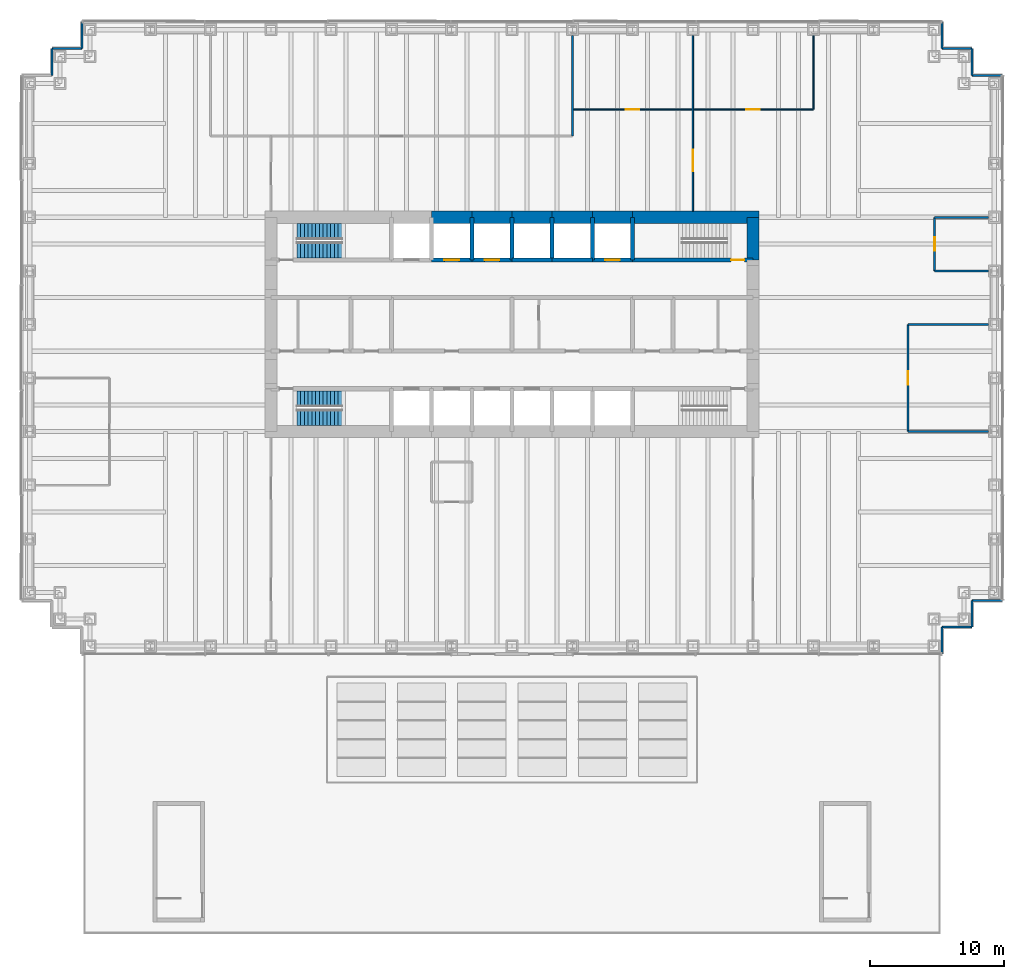
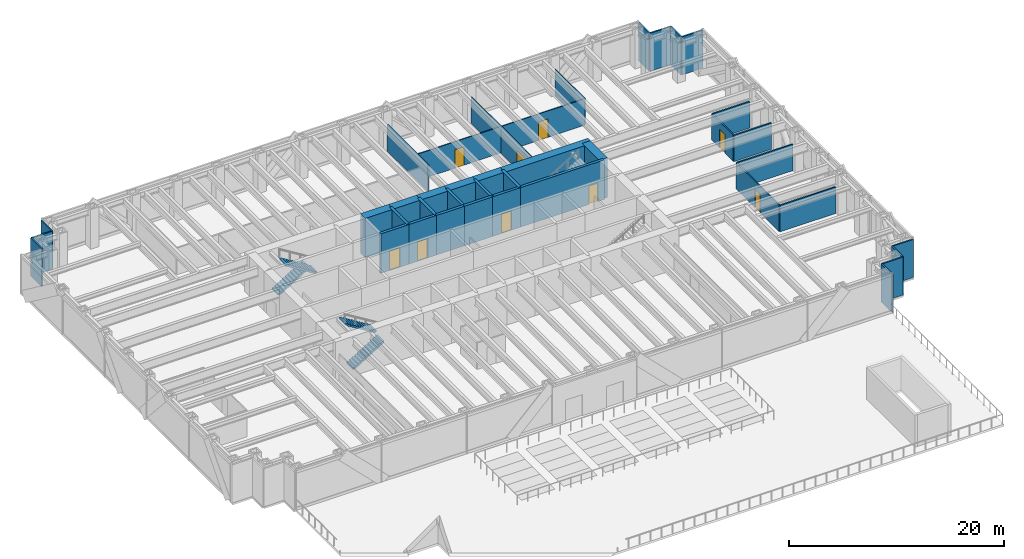
# One storey, part 13 of 15: 39 walls, 9 doors, 4 stair flights, 9 openings, 2 elements without a shape of their own.
"""IFC4 building model written with IfcOpenShell, lengths in metres."""

from ifc_helpers import new_model, si_unit, direction, frame, frame_2d, origin, place, context, subcontext, project, spatial, polyline, rectangle, outline, extrude, material, layer, layer_set, type_object, element, fill, aggregate, save


model = new_model("IFC4")

# Units and contexts
model_context = context("Model", 3, precision=1e-05, world=origin(), true_north=direction((0.0, 1.0)))
body_context = subcontext(model_context, "Body", "Model", "MODEL_VIEW")
ifc_project = project(units=[si_unit("LENGTHUNIT", "METRE"), si_unit("AREAUNIT", "SQUARE_METRE"), si_unit("VOLUMEUNIT", "CUBIC_METRE"), si_unit("PLANEANGLEUNIT", "RADIAN"), si_unit("MASSUNIT", "GRAM", prefix="KILO")], contexts=[model_context])

# Site, building, storey
site_placement = place(None, origin())
site = spatial("IfcSite", under=ifc_project, at=site_placement, CompositionType="ELEMENT")
building_placement = place(site_placement, origin())
building = spatial("IfcBuilding", under=site, at=building_placement, Name="Rheinbord Bourse Tower", CompositionType="ELEMENT")
storey_placement = place(building_placement, frame((0.0, 0.0, 23.0)))
storey = spatial("IfcBuildingStorey", under=building, at=storey_placement, Name="L04", CompositionType="ELEMENT", Elevation=23.0)

# Wall, opening, door
ifc_material_1 = material(Name="Concrete C50/60", Category="concrete")
ifc_layer_1 = layer(ifc_material_1, 0.300048828125)
ifc_layer_set_1 = layer_set([ifc_layer_1], Name="CORE INNER WALL 300")
wall_type_1 = type_object("IfcWallType", Name="CORE INNER WALL 300", PredefinedType="SOLIDWALL", material=ifc_layer_set_1)
wall_1_placement = place(storey_placement, frame((30.0, 28.800048828125, 0.0), z_axis=(0.0, 0.0, 1.0), x_axis=(1.0, 0.0, 0.0)))
wall_1 = element("IfcWall", 1, at=wall_1_placement, inside=storey, type_object=wall_type_1, Name="Core wall B3 L04", PredefinedType="SOLIDWALL", context=body_context, shape_type="SweptSolid", body=[
    extrude(rectangle(XDim=3.0, YDim=0.300048828125, at=frame_2d((1.5, 0.0))), origin(), (0.0, 0.0, 1.0), 4.5),
])
opening_1_placement = place(wall_1_placement, frame((0.949951171875, 0.0, 0.0)))
opening_1 = element("IfcOpeningElement", 2, at=opening_1_placement, cuts=wall_1, Name="Opening PA4", PredefinedType="OPENING", context=body_context, shape_type="SweptSolid", body=[
    extrude(rectangle(XDim=1.10009765625, YDim=2.199951171875, at=frame_2d((0.550048828125, 1.10009765625))), frame((0.0, 0.159912109375, 0.0), z_axis=(0.0, -1.0, 0.0), x_axis=(1.0, 0.0, 0.0)), (0.0, 0.0, 1.0), 0.320068359375),
])
ifc_material_2 = material(Name="Steel landing door", Category="steel")
door_type_1 = type_object("IfcDoorType", Name="LIFT LANDING DOOR 1100", OperationType="DOUBLE_DOOR_SLIDING", PredefinedType="USERDEFINED", material=ifc_material_2)
door_1_placement = place(opening_1_placement, origin())
door_1 = element("IfcDoor", 3, at=door_1_placement, inside=storey, type_object=door_type_1, Name="Lift landing door PA4 L04", ObjectType="LIFT LANDING DOOR", OperationType="DOUBLE_DOOR_SLIDING", OverallHeight=2.199951171875, OverallWidth=1.10009765625, PredefinedType="USERDEFINED", context=body_context, shape_type="SweptSolid", body=[
    extrude(rectangle(XDim=1.10009765625, YDim=2.199951171875, at=frame_2d((0.550048828125, 1.10009765625))), frame((0.0, 0.02490234375, 0.0), z_axis=(0.0, -1.0, 0.0), x_axis=(1.0, 0.0, 0.0)), (0.0, 0.0, 1.0), 0.050048828125),
])
fill(opening_1, door_1)

wall_2_placement = place(storey_placement, frame((33.0, 28.800048828125, 0.0), z_axis=(0.0, 0.0, 1.0), x_axis=(1.0, 0.0, 0.0)))
wall_2 = element("IfcWall", 4, at=wall_2_placement, inside=storey, type_object=wall_type_1, Name="Core wall B4 L04", PredefinedType="SOLIDWALL", context=body_context, shape_type="SweptSolid", body=[
    extrude(rectangle(XDim=3.0, YDim=0.300048828125, at=frame_2d((1.5, 0.0))), origin(), (0.0, 0.0, 1.0), 4.5),
])
opening_2_placement = place(wall_2_placement, frame((0.949951171875, 0.0, 0.0)))
opening_2 = element("IfcOpeningElement", 5, at=opening_2_placement, cuts=wall_2, Name="Opening PA5", PredefinedType="OPENING", context=body_context, shape_type="SweptSolid", body=[
    extrude(rectangle(XDim=1.10009765625, YDim=2.199951171875, at=frame_2d((0.550048828125, 1.10009765625))), frame((0.0, 0.159912109375, 0.0), z_axis=(0.0, -1.0, 0.0), x_axis=(1.0, 0.0, 0.0)), (0.0, 0.0, 1.0), 0.320068359375),
])
door_2_placement = place(opening_2_placement, origin())
door_2 = element("IfcDoor", 6, at=door_2_placement, inside=storey, type_object=door_type_1, Name="Lift landing door PA5 L04", ObjectType="LIFT LANDING DOOR", OperationType="DOUBLE_DOOR_SLIDING", OverallHeight=2.199951171875, OverallWidth=1.10009765625, PredefinedType="USERDEFINED", context=body_context, shape_type="SweptSolid", body=[
    extrude(rectangle(XDim=1.10009765625, YDim=2.199951171875, at=frame_2d((0.550048828125, 1.10009765625))), frame((0.0, 0.02490234375, 0.0), z_axis=(0.0, -1.0, 0.0), x_axis=(1.0, 0.0, 0.0)), (0.0, 0.0, 1.0), 0.050048828125),
])
fill(opening_2, door_2)

# Walls
for number, where, z_axis, x_axis, name in (
    (7, (36.0, 28.800048828125, 0.0), (0.0, 0.0, 1.0), (1.0, 0.0, 0.0), "Core wall B5 L04"),
    (8, (39.0, 28.800048828125, 0.0), (0.0, 0.0, 1.0), (1.0, 0.0, 0.0), "Core wall B6 L04"),
):
    element("IfcWall", number, at=place(storey_placement, frame(where, z_axis=z_axis, x_axis=x_axis)), inside=storey, type_object=wall_type_1, Name=name, PredefinedType="SOLIDWALL", context=body_context, shape_type="SweptSolid", body=[
        extrude(rectangle(XDim=3.0, YDim=0.300048828125, at=frame_2d((1.5, 0.0))), origin(), (0.0, 0.0, 1.0), 4.5),
    ])

# Wall, opening, door
wall_3_placement = place(storey_placement, frame((42.0, 28.800048828125, 0.0), z_axis=(0.0, 0.0, 1.0), x_axis=(1.0, 0.0, 0.0)))
wall_3 = element("IfcWall", 9, at=wall_3_placement, inside=storey, type_object=wall_type_1, Name="Core wall B7 L04", PredefinedType="SOLIDWALL", context=body_context, shape_type="SweptSolid", body=[
    extrude(rectangle(XDim=3.0, YDim=0.300048828125, at=frame_2d((1.5, 0.0))), origin(), (0.0, 0.0, 1.0), 4.5),
])
opening_3_placement = place(wall_3_placement, frame((0.949951171875, 0.0, 0.0)))
opening_3 = element("IfcOpeningElement", 10, at=opening_3_placement, cuts=wall_3, Name="Opening FL2", PredefinedType="OPENING", context=body_context, shape_type="SweptSolid", body=[
    extrude(rectangle(XDim=1.10009765625, YDim=2.199951171875, at=frame_2d((0.550048828125, 1.10009765625))), frame((0.0, 0.159912109375, 0.0), z_axis=(0.0, -1.0, 0.0), x_axis=(1.0, 0.0, 0.0)), (0.0, 0.0, 1.0), 0.320068359375),
])
door_3_placement = place(opening_3_placement, origin())
door_3 = element("IfcDoor", 11, at=door_3_placement, inside=storey, type_object=door_type_1, Name="Lift landing door FL2 L04", ObjectType="LIFT LANDING DOOR", OperationType="DOUBLE_DOOR_SLIDING", OverallHeight=2.199951171875, OverallWidth=1.10009765625, PredefinedType="USERDEFINED", context=body_context, shape_type="SweptSolid", body=[
    extrude(rectangle(XDim=1.10009765625, YDim=2.199951171875, at=frame_2d((0.550048828125, 1.10009765625))), frame((0.0, 0.02490234375, 0.0), z_axis=(0.0, -1.0, 0.0), x_axis=(1.0, 0.0, 0.0)), (0.0, 0.0, 1.0), 0.050048828125),
])
fill(opening_3, door_3)

wall_4_placement = place(storey_placement, frame((45.0, 28.800048828125, 0.0), z_axis=(0.0, 0.0, 1.0), x_axis=(1.0, 0.0, 0.0)))
wall_4 = element("IfcWall", 12, at=wall_4_placement, inside=storey, type_object=wall_type_1, Name="Core wall B8 L04", PredefinedType="SOLIDWALL", context=body_context, shape_type="SweptSolid", body=[
    extrude(rectangle(XDim=9.0, YDim=0.300048828125, at=frame_2d((4.5, 0.0))), origin(), (0.0, 0.0, 1.0), 4.5),
])
opening_4_placement = place(wall_4_placement, frame((7.35009765625, 0.0, 0.0)))
opening_4 = element("IfcOpeningElement", 13, at=opening_4_placement, cuts=wall_4, Name="Opening 0440", PredefinedType="OPENING", context=body_context, shape_type="SweptSolid", body=[
    extrude(rectangle(XDim=1.0, YDim=2.10009765625, at=frame_2d((0.5, 1.050048828125))), frame((0.0, 0.159912109375, 0.0), z_axis=(0.0, -1.0, 0.0), x_axis=(1.0, 0.0, 0.0)), (0.0, 0.0, 1.0), 0.320068359375),
])
ifc_material_3 = material(Name="Steel door", Category="steel")
door_type_2 = type_object("IfcDoorType", Name="DOOR 1000 EI30", OperationType="SINGLE_SWING_LEFT", PredefinedType="DOOR", material=ifc_material_3)
door_4_placement = place(opening_4_placement, origin())
door_4 = element("IfcDoor", 14, at=door_4_placement, inside=storey, type_object=door_type_2, Name="Stair door ST4 L04", OperationType="SINGLE_SWING_RIGHT", OverallHeight=2.10009765625, OverallWidth=1.0, PredefinedType="DOOR", context=body_context, shape_type="SweptSolid", body=[
    extrude(rectangle(XDim=1.0, YDim=2.10009765625, at=frame_2d((0.5, 1.050048828125))), frame((0.0, 0.02490234375, 0.0), z_axis=(0.0, -1.0, 0.0), x_axis=(1.0, 0.0, 0.0)), (0.0, 0.0, 1.0), 0.050048828125),
])
fill(opening_4, door_4)

# Walls
for number, where, z_axis, x_axis, name in (
    (15, (33.0, 28.800048828125, 0.0), (0.0, 0.0, 1.0), (0.0, 1.0, 0.0), "Core wall NX33 L04"),
    (16, (36.0, 28.800048828125, 0.0), (0.0, 0.0, 1.0), (0.0, 1.0, 0.0), "Core wall NX36 L04"),
    (17, (39.0, 28.800048828125, 0.0), (0.0, 0.0, 1.0), (0.0, 1.0, 0.0), "Core wall NX39 L04"),
    (18, (42.0, 28.800048828125, 0.0), (0.0, 0.0, 1.0), (0.0, 1.0, 0.0), "Core wall NX42 L04"),
    (19, (45.0, 28.800048828125, 0.0), (0.0, 0.0, 1.0), (0.0, 1.0, 0.0), "Core wall NX45 L04"),
):
    element("IfcWall", number, at=place(storey_placement, frame(where, z_axis=z_axis, x_axis=x_axis)), inside=storey, type_object=wall_type_1, Name=name, PredefinedType="SOLIDWALL", context=body_context, shape_type="SweptSolid", body=[
        extrude(rectangle(XDim=3.199951171875, YDim=0.300048828125, at=frame_2d((1.60009765625, 0.0))), origin(), (0.0, 0.0, 1.0), 4.5),
    ])
ifc_material_4 = material(Name="Concrete C50/60", Category="concrete")
ifc_layer_2 = layer(ifc_material_4, 0.89990234375)
ifc_layer_set_2 = layer_set([ifc_layer_2], Name="CORE WALL 900")
wall_type_2 = type_object("IfcWallType", Name="CORE WALL 900", PredefinedType="SHEAR", material=ifc_layer_set_2)
wall_5_placement = place(storey_placement, frame((54.449951171875, 32.0, 0.0), z_axis=(0.0, 0.0, 1.0), x_axis=(-1.0, 0.0, 0.0)))
element("IfcWall", 20, at=wall_5_placement, inside=storey, type_object=wall_type_2, Name="Core wall N1 L04", PredefinedType="SHEAR", context=body_context, shape_type="SweptSolid", body=[
    extrude(rectangle(XDim=9.449951171875, YDim=0.89990234375, at=frame_2d((4.72509765625, 0.0))), origin(), (0.0, 0.0, 1.0), 4.5),
])
for number, where, z_axis, x_axis, name in (
    (21, (45.0, 32.0, 0.0), (0.0, 0.0, 1.0), (-1.0, 0.0, 0.0), "Core wall N2 L04"),
    (22, (42.0, 32.0, 0.0), (0.0, 0.0, 1.0), (-1.0, 0.0, 0.0), "Core wall N3 L04"),
    (23, (39.0, 32.0, 0.0), (0.0, 0.0, 1.0), (-1.0, 0.0, 0.0), "Core wall N4 L04"),
    (24, (36.0, 32.0, 0.0), (0.0, 0.0, 1.0), (-1.0, 0.0, 0.0), "Core wall N5 L04"),
    (25, (33.0, 32.0, 0.0), (0.0, 0.0, 1.0), (-1.0, 0.0, 0.0), "Core wall N6 L04"),
):
    element("IfcWall", number, at=place(storey_placement, frame(where, z_axis=z_axis, x_axis=x_axis)), inside=storey, type_object=wall_type_2, Name=name, PredefinedType="SHEAR", context=body_context, shape_type="SweptSolid", body=[
        extrude(rectangle(XDim=3.0, YDim=0.89990234375, at=frame_2d((1.5, 0.0))), origin(), (0.0, 0.0, 1.0), 4.5),
    ])
wall_6_placement = place(storey_placement, frame((54.0, 28.800048828125, 0.0), z_axis=(0.0, 0.0, 1.0), x_axis=(0.0, 1.0, 0.0)))
element("IfcWall", 26, at=wall_6_placement, inside=storey, type_object=wall_type_2, Name="Core wall E5 L04", PredefinedType="SHEAR", context=body_context, shape_type="SweptSolid", body=[
    extrude(rectangle(XDim=3.199951171875, YDim=0.89990234375, at=frame_2d((1.60009765625, 0.0))), origin(), (0.0, 0.0, 1.0), 4.5),
])
ifc_material_5 = material(Name="Black metal rainscreen panel", Category="aluminium")
ifc_layer_3 = layer(ifc_material_5, 0.14990234375)
ifc_layer_set_3 = layer_set([ifc_layer_3], Name="CORNER PIER CLADDING 150")
wall_type_3 = type_object("IfcWallType", Name="CORNER PIER CLADDING 150", PredefinedType="ELEMENTEDWALL", material=ifc_layer_set_3)
wall_7_placement = place(storey_placement, frame((68.10009765625, -0.60009765625, 0.0), z_axis=(0.0, 0.0, 1.0), x_axis=(0.0, 1.0, 0.0)))
element("IfcWall", 27, at=wall_7_placement, inside=storey, type_object=wall_type_3, Name="Corner pier cladding L04 4", PredefinedType="ELEMENTEDWALL", context=body_context, shape_type="SweptSolid", body=[
    extrude(rectangle(XDim=2.0, YDim=0.14990234375, at=frame_2d((1.0, 0.0))), origin(), (0.0, 0.0, 1.0), 4.320068359375),
])
wall_8_placement = place(storey_placement, frame((68.10009765625, 1.39990234375, 0.0), z_axis=(0.0, 0.0, 1.0), x_axis=(1.0, 0.0, 0.0)))
element("IfcWall", 28, at=wall_8_placement, inside=storey, type_object=wall_type_3, Name="Corner pier cladding L04 5", PredefinedType="ELEMENTEDWALL", context=body_context, shape_type="SweptSolid", body=[
    extrude(rectangle(XDim=2.25, YDim=0.14990234375, at=frame_2d((1.125, 0.0))), origin(), (0.0, 0.0, 1.0), 4.320068359375),
])
wall_9_placement = place(storey_placement, frame((70.35009765625, 1.39990234375, 0.0), z_axis=(0.0, 0.0, 1.0), x_axis=(0.0, 1.0, 0.0)))
element("IfcWall", 29, at=wall_9_placement, inside=storey, type_object=wall_type_3, Name="Corner pier cladding L04 6", PredefinedType="ELEMENTEDWALL", context=body_context, shape_type="SweptSolid", body=[
    extrude(rectangle(XDim=2.0, YDim=0.14990234375, at=frame_2d((1.0, 0.0))), origin(), (0.0, 0.0, 1.0), 4.320068359375),
])
for number, where, z_axis, x_axis, name in (
    (30, (70.35009765625, 3.39990234375, 0.0), (0.0, 0.0, 1.0), (1.0, 0.0, 0.0), "Corner pier cladding L04 7"),
    (31, (72.60009765625, 42.60009765625, 0.0), (0.0, 0.0, 1.0), (-1.0, 0.0, 0.0), "Corner pier cladding L04 9"),
):
    element("IfcWall", number, at=place(storey_placement, frame(where, z_axis=z_axis, x_axis=x_axis)), inside=storey, type_object=wall_type_3, Name=name, PredefinedType="ELEMENTEDWALL", context=body_context, shape_type="SweptSolid", body=[
        extrude(rectangle(XDim=2.25, YDim=0.14990234375, at=frame_2d((1.125, 0.0))), origin(), (0.0, 0.0, 1.0), 4.320068359375),
    ])
wall_10_placement = place(storey_placement, frame((70.35009765625, 42.60009765625, 0.0), z_axis=(0.0, 0.0, 1.0), x_axis=(0.0, 1.0, 0.0)))
element("IfcWall", 32, at=wall_10_placement, inside=storey, type_object=wall_type_3, Name="Corner pier cladding L04 10", PredefinedType="ELEMENTEDWALL", context=body_context, shape_type="SweptSolid", body=[
    extrude(rectangle(XDim=2.0, YDim=0.14990234375, at=frame_2d((1.0, 0.0))), origin(), (0.0, 0.0, 1.0), 4.320068359375),
])
wall_11_placement = place(storey_placement, frame((70.35009765625, 44.60009765625, 0.0), z_axis=(0.0, 0.0, 1.0), x_axis=(-1.0, 0.0, 0.0)))
element("IfcWall", 33, at=wall_11_placement, inside=storey, type_object=wall_type_3, Name="Corner pier cladding L04 11", PredefinedType="ELEMENTEDWALL", context=body_context, shape_type="SweptSolid", body=[
    extrude(rectangle(XDim=2.25, YDim=0.14990234375, at=frame_2d((1.125, 0.0))), origin(), (0.0, 0.0, 1.0), 4.320068359375),
])
for number, where, z_axis, x_axis, name in (
    (34, (68.10009765625, 44.60009765625, 0.0), (0.0, 0.0, 1.0), (0.0, 1.0, 0.0), "Corner pier cladding L04 12"),
    (35, (3.89990234375, 46.60009765625, 0.0), (0.0, 0.0, 1.0), (0.0, -1.0, 0.0), "Corner pier cladding L04 14"),
):
    element("IfcWall", number, at=place(storey_placement, frame(where, z_axis=z_axis, x_axis=x_axis)), inside=storey, type_object=wall_type_3, Name=name, PredefinedType="ELEMENTEDWALL", context=body_context, shape_type="SweptSolid", body=[
        extrude(rectangle(XDim=2.0, YDim=0.14990234375, at=frame_2d((1.0, 0.0))), origin(), (0.0, 0.0, 1.0), 4.320068359375),
    ])
wall_12_placement = place(storey_placement, frame((3.89990234375, 44.60009765625, 0.0), z_axis=(0.0, 0.0, 1.0), x_axis=(-1.0, 0.0, 0.0)))
element("IfcWall", 36, at=wall_12_placement, inside=storey, type_object=wall_type_3, Name="Corner pier cladding L04 15", PredefinedType="ELEMENTEDWALL", context=body_context, shape_type="SweptSolid", body=[
    extrude(rectangle(XDim=2.25, YDim=0.14990234375, at=frame_2d((1.125, 0.0))), origin(), (0.0, 0.0, 1.0), 4.320068359375),
])
wall_13_placement = place(storey_placement, frame((1.64990234375, 44.60009765625, 0.0), z_axis=(0.0, 0.0, 1.0), x_axis=(0.0, -1.0, 0.0)))
element("IfcWall", 37, at=wall_13_placement, inside=storey, type_object=wall_type_3, Name="Corner pier cladding L04 16", PredefinedType="ELEMENTEDWALL", context=body_context, shape_type="SweptSolid", body=[
    extrude(rectangle(XDim=2.0, YDim=0.14990234375, at=frame_2d((1.0, 0.0))), origin(), (0.0, 0.0, 1.0), 4.320068359375),
])
ifc_material_6 = material(Name="Gypsum board fire partition", Category="gypsum board")
ifc_layer_4 = layer(ifc_material_6, 0.14990234375)
ifc_layer_set_4 = layer_set([ifc_layer_4], Name="FIRE PARTITION 150 EI60")
wall_type_4 = type_object("IfcWallType", Name="FIRE PARTITION 150 EI60", PredefinedType="PARTITIONING", material=ifc_layer_set_4)
for number, where, z_axis, x_axis, name in (
    (38, (67.550048828125, 28.0, 0.0), (0.0, 0.0, 1.0), (1.0, 0.0, 0.0), "Partition L04-07"),
    (39, (67.550048828125, 32.0, 0.0), (0.0, 0.0, 1.0), (1.0, 0.0, 0.0), "Partition L04-08"),
):
    element("IfcWall", number, at=place(storey_placement, frame(where, z_axis=z_axis, x_axis=x_axis)), inside=storey, type_object=wall_type_4, Name=name, PredefinedType="PARTITIONING", context=body_context, shape_type="SweptSolid", body=[
        extrude(rectangle(XDim=4.0, YDim=0.14990234375, at=frame_2d((2.0, 0.0))), origin(), (0.0, 0.0, 1.0), 3.0),
    ])

# Wall, opening, door
wall_14_placement = place(storey_placement, frame((67.550048828125, 28.0, 0.0), z_axis=(0.0, 0.0, 1.0), x_axis=(0.0, 1.0, 0.0)))
wall_14 = element("IfcWall", 40, at=wall_14_placement, inside=storey, type_object=wall_type_4, Name="Partition L04-22", PredefinedType="PARTITIONING", context=body_context, shape_type="SweptSolid", body=[
    extrude(rectangle(XDim=4.0, YDim=0.14990234375, at=frame_2d((2.0, 0.0))), origin(), (0.0, 0.0, 1.0), 3.0),
])
opening_5_placement = place(wall_14_placement, frame((1.5, 0.0, 0.0)))
opening_5 = element("IfcOpeningElement", 41, at=opening_5_placement, cuts=wall_14, Name="Opening 04D04", PredefinedType="OPENING", context=body_context, shape_type="SweptSolid", body=[
    extrude(rectangle(XDim=1.0, YDim=2.10009765625, at=frame_2d((0.5, 1.050048828125))), frame((0.0, 0.0849609375, 0.0), z_axis=(0.0, -1.0, 0.0), x_axis=(1.0, 0.0, 0.0)), (0.0, 0.0, 1.0), 0.169921875),
])
ifc_material_7 = material(Name="Timber fire door", Category="wood")
door_type_3 = type_object("IfcDoorType", Name="FIRE DOOR 1000 EI60", OperationType="SINGLE_SWING_LEFT", PredefinedType="DOOR", material=ifc_material_7)
door_5_placement = place(opening_5_placement, origin())
door_5 = element("IfcDoor", 42, at=door_5_placement, inside=storey, type_object=door_type_3, Name="Comms room door L04", OperationType="SINGLE_SWING_LEFT", OverallHeight=2.10009765625, OverallWidth=1.0, PredefinedType="DOOR", context=body_context, shape_type="SweptSolid", body=[
    extrude(rectangle(XDim=1.0, YDim=2.10009765625, at=frame_2d((0.5, 1.050048828125))), frame((0.0, 0.02490234375, 0.0), z_axis=(0.0, -1.0, 0.0), x_axis=(1.0, 0.0, 0.0)), (0.0, 0.0, 1.0), 0.050048828125),
])
fill(opening_5, door_5)

# Wall, openings, doors
ifc_material_8 = material(Name="Toughened laminated glass partition", Category="glass")
ifc_layer_5 = layer(ifc_material_8, 0.10009765625)
ifc_layer_set_5 = layer_set([ifc_layer_5], Name="GLAZED PARTITION 100")
wall_type_5 = type_object("IfcWallType", Name="GLAZED PARTITION 100", PredefinedType="PARTITIONING", material=ifc_layer_set_5)
wall_15_placement = place(storey_placement, frame((40.5, 40.050048828125, 0.0), z_axis=(0.0, 0.0, 1.0), x_axis=(1.0, 0.0, 0.0)))
wall_15 = element("IfcWall", 43, at=wall_15_placement, inside=storey, type_object=wall_type_5, Name="Partition L04-10", PredefinedType="PARTITIONING", context=body_context, shape_type="SweptSolid", body=[
    extrude(rectangle(XDim=18.0, YDim=0.10009765625, at=frame_2d((9.0, 0.0))), origin(), (0.0, 0.0, 1.0), 3.0),
])
opening_6_placement = place(wall_15_placement, frame((4.0, 0.0, 0.0)))
opening_6 = element("IfcOpeningElement", 44, at=opening_6_placement, cuts=wall_15, Name="Opening 04D06", PredefinedType="OPENING", context=body_context, shape_type="SweptSolid", body=[
    extrude(rectangle(XDim=1.0, YDim=2.10009765625, at=frame_2d((0.5, 1.050048828125))), frame((0.0, 0.06005859375, 0.0), z_axis=(0.0, -1.0, 0.0), x_axis=(1.0, 0.0, 0.0)), (0.0, 0.0, 1.0), 0.1201171875),
])
opening_7_placement = place(wall_15_placement, frame((13.0, 0.0, 0.0)))
opening_7 = element("IfcOpeningElement", 45, at=opening_7_placement, cuts=wall_15, Name="Opening 04D07", PredefinedType="OPENING", context=body_context, shape_type="SweptSolid", body=[
    extrude(rectangle(XDim=1.0, YDim=2.10009765625, at=frame_2d((0.5, 1.050048828125))), frame((0.0, 0.06005859375, 0.0), z_axis=(0.0, -1.0, 0.0), x_axis=(1.0, 0.0, 0.0)), (0.0, 0.0, 1.0), 0.1201171875),
])
ifc_material_9 = material(Name="Timber door", Category="wood")
door_type_4 = type_object("IfcDoorType", Name="ROOM DOOR 1000", OperationType="SINGLE_SWING_LEFT", PredefinedType="DOOR", material=ifc_material_9)
door_6_placement = place(opening_6_placement, origin())
door_6 = element("IfcDoor", 46, at=door_6_placement, inside=storey, type_object=door_type_4, Name="Meeting room door L04", OperationType="SINGLE_SWING_LEFT", OverallHeight=2.10009765625, OverallWidth=1.0, PredefinedType="DOOR", context=body_context, shape_type="SweptSolid", body=[
    extrude(rectangle(XDim=1.0, YDim=2.10009765625, at=frame_2d((0.5, 1.050048828125))), frame((0.0, 0.02490234375, 0.0), z_axis=(0.0, -1.0, 0.0), x_axis=(1.0, 0.0, 0.0)), (0.0, 0.0, 1.0), 0.050048828125),
])
fill(opening_6, door_6)
door_7_placement = place(opening_7_placement, origin())
door_7 = element("IfcDoor", 47, at=door_7_placement, inside=storey, type_object=door_type_4, Name="Meeting room door L04", OperationType="SINGLE_SWING_RIGHT", OverallHeight=2.10009765625, OverallWidth=1.0, PredefinedType="DOOR", context=body_context, shape_type="SweptSolid", body=[
    extrude(rectangle(XDim=1.0, YDim=2.10009765625, at=frame_2d((0.5, 1.050048828125))), frame((0.0, 0.02490234375, 0.0), z_axis=(0.0, -1.0, 0.0), x_axis=(1.0, 0.0, 0.0)), (0.0, 0.0, 1.0), 0.050048828125),
])
fill(opening_7, door_7)

# Wall, opening, door
wall_16_placement = place(storey_placement, frame((49.5, 32.449951171875, 0.0), z_axis=(0.0, 0.0, 1.0), x_axis=(0.0, 1.0, 0.0)))
wall_16 = element("IfcWall", 48, at=wall_16_placement, inside=storey, type_object=wall_type_5, Name="Partition L04-18", PredefinedType="PARTITIONING", context=body_context, shape_type="SweptSolid", body=[
    extrude(rectangle(XDim=13.10009765625, YDim=0.10009765625, at=frame_2d((6.550048828125, 0.0))), origin(), (0.0, 0.0, 1.0), 3.0),
])
opening_8_placement = place(wall_16_placement, frame((3.0, 0.0, 0.0)))
opening_8 = element("IfcOpeningElement", 49, at=opening_8_placement, cuts=wall_16, Name="Opening 04D13", PredefinedType="OPENING", context=body_context, shape_type="SweptSolid", body=[
    extrude(rectangle(XDim=1.60009765625, YDim=2.10009765625, at=frame_2d((0.800048828125, 1.050048828125))), frame((0.0, 0.06005859375, 0.0), z_axis=(0.0, -1.0, 0.0), x_axis=(1.0, 0.0, 0.0)), (0.0, 0.0, 1.0), 0.1201171875),
])
ifc_material_10 = material(Name="Timber door", Category="wood")
door_type_5 = type_object("IfcDoorType", Name="DOUBLE ROOM DOOR 1600", OperationType="DOUBLE_DOOR_DOUBLE_SWING", PredefinedType="DOOR", material=ifc_material_10)
door_8_placement = place(opening_8_placement, origin())
door_8 = element("IfcDoor", 50, at=door_8_placement, inside=storey, type_object=door_type_5, Name="Open area door L04", OperationType="SINGLE_SWING_LEFT", OverallHeight=2.10009765625, OverallWidth=1.60009765625, PredefinedType="DOOR", context=body_context, shape_type="SweptSolid", body=[
    extrude(rectangle(XDim=1.60009765625, YDim=2.10009765625, at=frame_2d((0.800048828125, 1.050048828125))), frame((0.0, 0.02490234375, 0.0), z_axis=(0.0, -1.0, 0.0), x_axis=(1.0, 0.0, 0.0)), (0.0, 0.0, 1.0), 0.050048828125),
])
fill(opening_8, door_8)

# Walls
wall_17_placement = place(storey_placement, frame((58.5, 40.050048828125, 0.0), z_axis=(0.0, 0.0, 1.0), x_axis=(0.0, 1.0, 0.0)))
element("IfcWall", 51, at=wall_17_placement, inside=storey, type_object=wall_type_5, Name="Partition L04-20", PredefinedType="PARTITIONING", context=body_context, shape_type="SweptSolid", body=[
    extrude(rectangle(XDim=5.5, YDim=0.10009765625, at=frame_2d((2.75, 0.0))), origin(), (0.0, 0.0, 1.0), 3.0),
])
ifc_material_11 = material(Name="Gypsum board partition", Category="gypsum board")
ifc_layer_6 = layer(ifc_material_11, 0.14990234375)
ifc_layer_set_6 = layer_set([ifc_layer_6], Name="PARTITION 150")
wall_type_6 = type_object("IfcWallType", Name="PARTITION 150", PredefinedType="PARTITIONING", material=ifc_layer_set_6)
for number, where, z_axis, x_axis, name in (
    (52, (65.550048828125, 16.0, 0.0), (0.0, 0.0, 1.0), (1.0, 0.0, 0.0), "Partition L04-04"),
    (53, (65.550048828125, 24.0, 0.0), (0.0, 0.0, 1.0), (1.0, 0.0, 0.0), "Partition L04-06"),
):
    element("IfcWall", number, at=place(storey_placement, frame(where, z_axis=z_axis, x_axis=x_axis)), inside=storey, type_object=wall_type_6, Name=name, PredefinedType="PARTITIONING", context=body_context, shape_type="SweptSolid", body=[
        extrude(rectangle(XDim=6.0, YDim=0.14990234375, at=frame_2d((3.0, 0.0))), origin(), (0.0, 0.0, 1.0), 3.0),
    ])
wall_18_placement = place(storey_placement, frame((40.5, 38.050048828125, 0.0), z_axis=(0.0, 0.0, 1.0), x_axis=(0.0, 1.0, 0.0)))
element("IfcWall", 54, at=wall_18_placement, inside=storey, type_object=wall_type_6, Name="Partition L04-17", PredefinedType="PARTITIONING", context=body_context, shape_type="SweptSolid", body=[
    extrude(rectangle(XDim=7.5, YDim=0.14990234375, at=frame_2d((3.75, 0.0))), origin(), (0.0, 0.0, 1.0), 3.0),
])

# Wall, opening, door
wall_19_placement = place(storey_placement, frame((65.550048828125, 16.0, 0.0), z_axis=(0.0, 0.0, 1.0), x_axis=(0.0, 1.0, 0.0)))
wall_19 = element("IfcWall", 55, at=wall_19_placement, inside=storey, type_object=wall_type_6, Name="Partition L04-21", PredefinedType="PARTITIONING", context=body_context, shape_type="SweptSolid", body=[
    extrude(rectangle(XDim=8.0, YDim=0.14990234375, at=frame_2d((4.0, 0.0))), origin(), (0.0, 0.0, 1.0), 3.0),
])
opening_9_placement = place(wall_19_placement, frame((3.5, 0.0, 0.0)))
opening_9 = element("IfcOpeningElement", 56, at=opening_9_placement, cuts=wall_19, Name="Opening 04D03", PredefinedType="OPENING", context=body_context, shape_type="SweptSolid", body=[
    extrude(rectangle(XDim=1.0, YDim=2.10009765625, at=frame_2d((0.5, 1.050048828125))), frame((0.0, 0.0849609375, 0.0), z_axis=(0.0, -1.0, 0.0), x_axis=(1.0, 0.0, 0.0)), (0.0, 0.0, 1.0), 0.169921875),
])
door_9_placement = place(opening_9_placement, origin())
door_9 = element("IfcDoor", 57, at=door_9_placement, inside=storey, type_object=door_type_4, Name="Pantry door L04", OperationType="SINGLE_SWING_LEFT", OverallHeight=2.10009765625, OverallWidth=1.0, PredefinedType="DOOR", context=body_context, shape_type="SweptSolid", body=[
    extrude(rectangle(XDim=1.0, YDim=2.10009765625, at=frame_2d((0.5, 1.050048828125))), frame((0.0, 0.02490234375, 0.0), z_axis=(0.0, -1.0, 0.0), x_axis=(1.0, 0.0, 0.0)), (0.0, 0.0, 1.0), 0.050048828125),
])
fill(opening_9, door_9)

# Stair, stair flights
ifc_material_12 = material(Name="Concrete C30/37", Category="concrete")
stair_type = type_object("IfcStairType", Name="CORE STAIR HALF TURN 4500", PredefinedType="HALF_TURN_STAIR", material=ifc_material_12)
stair_1_placement = place(storey_placement, origin())
stair_1 = element("IfcStair", 58, at=stair_1_placement, inside=storey, type_object=stair_type, Name="Stair ST1 L04, type CS4", PredefinedType="HALF_TURN_STAIR")
ifc_material_13 = material(Name="Concrete C30/37", Category="concrete")
stair_flight_type = type_object("IfcStairFlightType", Name="CORE STAIR FLIGHT 1200, 13 RISERS", PredefinedType="STRAIGHT", material=ifc_material_13)
stair_flight_1_placement = place(storey_placement, frame((19.949951171875, 17.050048828125, 0.0), z_axis=(0.0, 0.0, 1.0), x_axis=(1.0, 0.0, 0.0)))
stair_flight_1 = element("IfcStairFlight", 59, at=stair_flight_1_placement, type_object=stair_flight_type, Name="STAIR L04 ST1 F1", NumberOfRisers=13, NumberOfTreads=12, PredefinedType="STRAIGHT", RiserHeight=0.173076923, TreadLength=0.28, context=body_context, shape_type="SweptSolid", body=[
    extrude(outline(polyline([(0.0, 0.0), (0.0, 0.173095703125), (0.280029296875, 0.173095703125), (0.280029296875, 0.34619140625), (0.56005859375, 0.34619140625), (0.56005859375, 0.519287109375), (0.840087890625, 0.519287109375), (0.840087890625, 0.6923828125), (1.1201171875, 0.6923828125), (1.1201171875, 0.865478515625), (1.39990234375, 0.865478515625), (1.39990234375, 1.03857421875), (1.679931640625, 1.03857421875), (1.679931640625, 1.21142578125), (1.9599609375, 1.21142578125), (1.9599609375, 1.384521484375), (2.239990234375, 1.384521484375), (2.239990234375, 1.5576171875), (2.52001953125, 1.5576171875), (2.52001953125, 1.730712890625), (2.800048828125, 1.730712890625), (2.800048828125, 1.90380859375), (3.080078125, 1.90380859375), (3.080078125, 2.076904296875), (3.360107421875, 2.076904296875), (3.360107421875, 2.25), (3.360107421875, 1.900634765625), (0.28515625, 0.0), (0.0, 0.0)])), frame((0.0, 0.60009765625, 0.0), z_axis=(0.0, -1.0, 0.0), x_axis=(1.0, 0.0, 0.0)), (0.0, 0.0, 1.0), 1.199951171875),
])
stair_flight_2_placement = place(storey_placement, frame((23.31005859375, 18.449951171875, 2.25), z_axis=(0.0, 0.0, 1.0), x_axis=(-1.0, 0.0, 0.0)))
stair_flight_2 = element("IfcStairFlight", 60, at=stair_flight_2_placement, type_object=stair_flight_type, Name="STAIR L04 ST1 F2", NumberOfRisers=13, NumberOfTreads=12, PredefinedType="STRAIGHT", RiserHeight=0.173076923, TreadLength=0.28, context=body_context, shape_type="SweptSolid", body=[
    extrude(outline(polyline([(0.0, 0.0), (0.0, 0.173095703125), (0.280029296875, 0.173095703125), (0.280029296875, 0.34619140625), (0.56005859375, 0.34619140625), (0.56005859375, 0.519287109375), (0.840087890625, 0.519287109375), (0.840087890625, 0.6923828125), (1.1201171875, 0.6923828125), (1.1201171875, 0.865478515625), (1.39990234375, 0.865478515625), (1.39990234375, 1.03857421875), (1.679931640625, 1.03857421875), (1.679931640625, 1.21142578125), (1.9599609375, 1.21142578125), (1.9599609375, 1.384521484375), (2.239990234375, 1.384521484375), (2.239990234375, 1.5576171875), (2.52001953125, 1.5576171875), (2.52001953125, 1.730712890625), (2.800048828125, 1.730712890625), (2.800048828125, 1.90380859375), (3.080078125, 1.90380859375), (3.080078125, 2.076904296875), (3.360107421875, 2.076904296875), (3.360107421875, 2.25), (3.360107421875, 1.900634765625), (0.28515625, 0.0), (0.0, 0.0)])), frame((0.0, 0.60009765625, 0.0), z_axis=(0.0, -1.0, 0.0), x_axis=(1.0, 0.0, 0.0)), (0.0, 0.0, 1.0), 1.199951171875),
])
aggregate(stair_1, [stair_flight_1, stair_flight_2])

stair_2_placement = place(storey_placement, origin())
stair_2 = element("IfcStair", 61, at=stair_2_placement, inside=storey, type_object=stair_type, Name="Stair ST2 L04, type CS4", PredefinedType="HALF_TURN_STAIR")
stair_flight_3_placement = place(storey_placement, frame((19.949951171875, 30.949951171875, 0.0), z_axis=(0.0, 0.0, 1.0), x_axis=(1.0, 0.0, 0.0)))
stair_flight_3 = element("IfcStairFlight", 62, at=stair_flight_3_placement, type_object=stair_flight_type, Name="STAIR L04 ST2 F1", NumberOfRisers=13, NumberOfTreads=12, PredefinedType="STRAIGHT", RiserHeight=0.173076923, TreadLength=0.28, context=body_context, shape_type="SweptSolid", body=[
    extrude(outline(polyline([(0.0, 0.0), (0.0, 0.173095703125), (0.280029296875, 0.173095703125), (0.280029296875, 0.34619140625), (0.56005859375, 0.34619140625), (0.56005859375, 0.519287109375), (0.840087890625, 0.519287109375), (0.840087890625, 0.6923828125), (1.1201171875, 0.6923828125), (1.1201171875, 0.865478515625), (1.39990234375, 0.865478515625), (1.39990234375, 1.03857421875), (1.679931640625, 1.03857421875), (1.679931640625, 1.21142578125), (1.9599609375, 1.21142578125), (1.9599609375, 1.384521484375), (2.239990234375, 1.384521484375), (2.239990234375, 1.5576171875), (2.52001953125, 1.5576171875), (2.52001953125, 1.730712890625), (2.800048828125, 1.730712890625), (2.800048828125, 1.90380859375), (3.080078125, 1.90380859375), (3.080078125, 2.076904296875), (3.360107421875, 2.076904296875), (3.360107421875, 2.25), (3.360107421875, 1.900634765625), (0.28515625, 0.0), (0.0, 0.0)])), frame((0.0, 0.60009765625, 0.0), z_axis=(0.0, -1.0, 0.0), x_axis=(1.0, 0.0, 0.0)), (0.0, 0.0, 1.0), 1.199951171875),
])
stair_flight_4_placement = place(storey_placement, frame((23.31005859375, 29.550048828125, 2.25), z_axis=(0.0, 0.0, 1.0), x_axis=(-1.0, 0.0, 0.0)))
stair_flight_4 = element("IfcStairFlight", 63, at=stair_flight_4_placement, type_object=stair_flight_type, Name="STAIR L04 ST2 F2", NumberOfRisers=13, NumberOfTreads=12, PredefinedType="STRAIGHT", RiserHeight=0.173076923, TreadLength=0.28, context=body_context, shape_type="SweptSolid", body=[
    extrude(outline(polyline([(0.0, 0.0), (0.0, 0.173095703125), (0.280029296875, 0.173095703125), (0.280029296875, 0.34619140625), (0.56005859375, 0.34619140625), (0.56005859375, 0.519287109375), (0.840087890625, 0.519287109375), (0.840087890625, 0.6923828125), (1.1201171875, 0.6923828125), (1.1201171875, 0.865478515625), (1.39990234375, 0.865478515625), (1.39990234375, 1.03857421875), (1.679931640625, 1.03857421875), (1.679931640625, 1.21142578125), (1.9599609375, 1.21142578125), (1.9599609375, 1.384521484375), (2.239990234375, 1.384521484375), (2.239990234375, 1.5576171875), (2.52001953125, 1.5576171875), (2.52001953125, 1.730712890625), (2.800048828125, 1.730712890625), (2.800048828125, 1.90380859375), (3.080078125, 1.90380859375), (3.080078125, 2.076904296875), (3.360107421875, 2.076904296875), (3.360107421875, 2.25), (3.360107421875, 1.900634765625), (0.28515625, 0.0), (0.0, 0.0)])), frame((0.0, 0.60009765625, 0.0), z_axis=(0.0, -1.0, 0.0), x_axis=(1.0, 0.0, 0.0)), (0.0, 0.0, 1.0), 1.199951171875),
])
aggregate(stair_2, [stair_flight_3, stair_flight_4])

save(model, "model.ifc")
